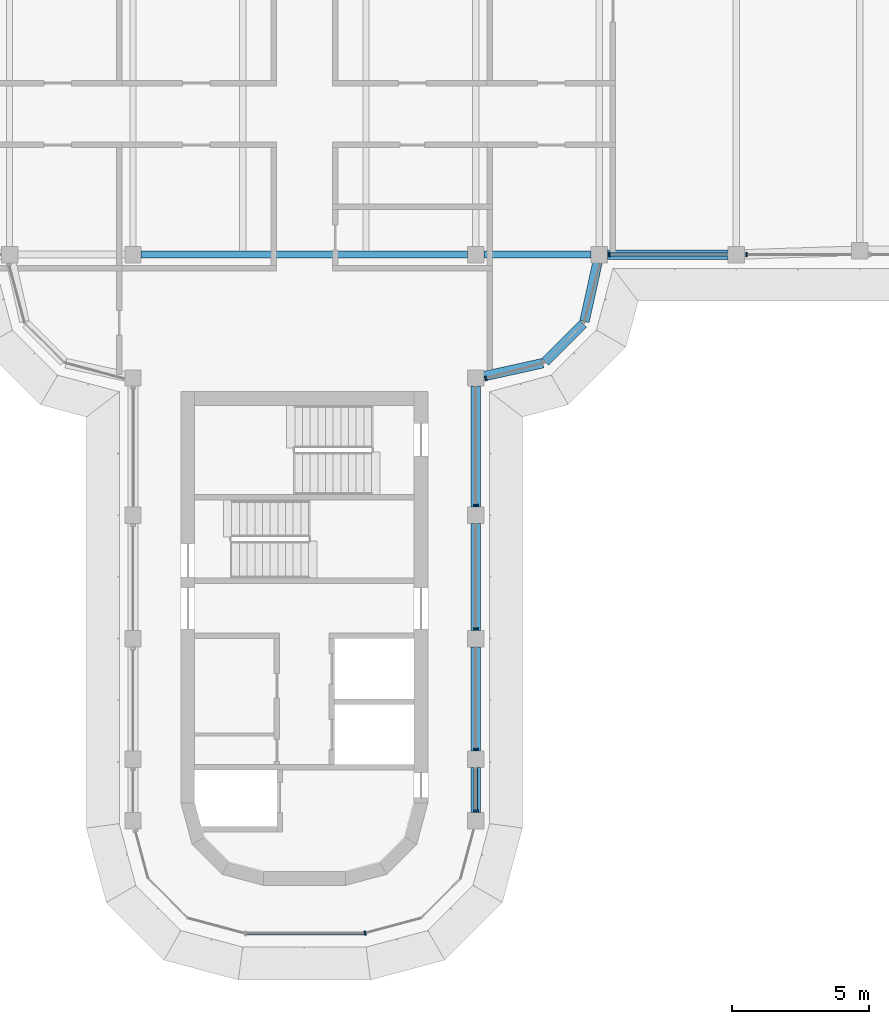
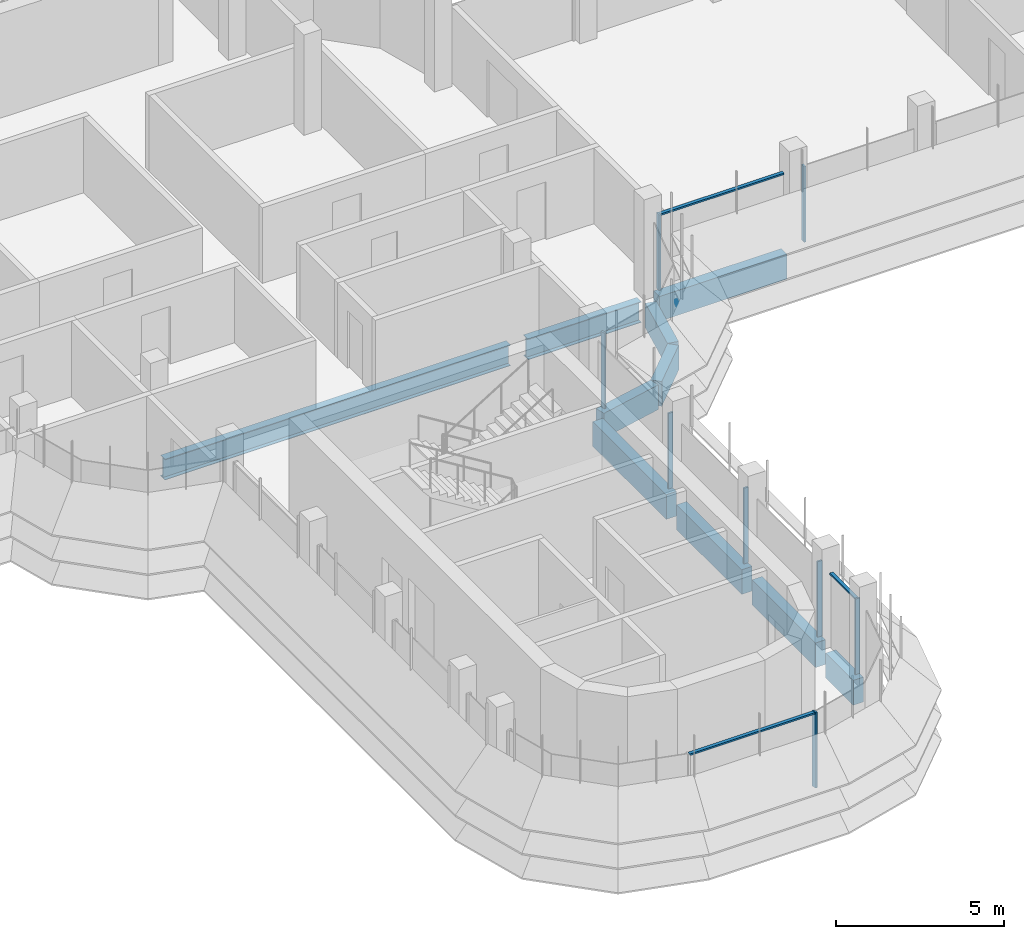
# One storey, part 4 of 19: 11 members, 10 beams, 5 elements without a shape of their own.
"""IFC4 building model written with IfcOpenShell, lengths in metres."""

from ifc_helpers import new_model, si_unit, direction, frame, origin, origin_2d, place, context, subcontext, project, spatial, polyline, rectangle, i_section, outline, extrude, source, transform, mapped, material, material_profile, profile_set, type_object, element, aggregate, save


model = new_model("IFC4")

# Units and contexts
model_context = context("Model", 3, precision=1e-05, world=origin(), true_north=direction((0.0, 1.0)))
body_context = subcontext(model_context, "Body", "Model", "MODEL_VIEW")
ifc_project = project(units=[si_unit("LENGTHUNIT", "METRE"), si_unit("AREAUNIT", "SQUARE_METRE"), si_unit("VOLUMEUNIT", "CUBIC_METRE"), si_unit("PLANEANGLEUNIT", "RADIAN"), si_unit("MASSUNIT", "GRAM", prefix="KILO")], contexts=[model_context])

# Site, building, storey
site_placement = place(None, origin())
site = spatial("IfcSite", under=ifc_project, at=site_placement, CompositionType="ELEMENT")
building_placement = place(site_placement, origin())
building = spatial("IfcBuilding", under=site, at=building_placement, Name="Zarbagh Exchange Tower", CompositionType="ELEMENT")
storey_placement = place(building_placement, frame((0.0, 0.0, 280.199951171875)))
storey = spatial("IfcBuildingStorey", under=building, at=storey_placement, Name="L69", CompositionType="ELEMENT", Elevation=280.199951171875)

# Beams
ifc_material_1 = material(Name="Steel ASTM A992 Gr 50", Category="steel")
ifc_material_profile_1 = material_profile(ifc_material_1, i_section(OverallWidth=0.2666015625, OverallDepth=0.7568359375, WebThickness=0.013916015625, FlangeThickness=0.019287109375, at=origin_2d()), Name="W30X108")
ifc_profile_set_1 = profile_set([ifc_material_profile_1], Name="Steel ASTM A992 Gr 50")
beam_type_1 = type_object("IfcBeamType", Name="Floor girder W30X108", PredefinedType="BEAM", material=ifc_profile_set_1)
beam_1_placement = place(storey_placement, frame((-5.949951171875, -6.25, -0.5283203125), z_axis=(1.0, 0.0, 0.0), x_axis=(0.0, 1.0, 0.0)))
element("IfcBeam", 1, at=beam_1_placement, inside=storey, type_object=beam_type_1, Name="Steel girder", PredefinedType="BEAM", context=body_context, shape_type="SweptSolid", body=[
    extrude(i_section(OverallWidth=0.2666015625, OverallDepth=0.7568359375, WebThickness=0.013916015625, FlangeThickness=0.019287109375, at=origin_2d()), origin(), (0.0, 0.0, 1.0), 11.89990234375),
])
beam_2_placement = place(storey_placement, frame((6.550048828125, -6.25, -0.5283203125), z_axis=(1.0, 0.0, 0.0), x_axis=(0.0, 1.0, 0.0)))
element("IfcBeam", 2, at=beam_2_placement, inside=storey, type_object=beam_type_1, Name="Steel girder", PredefinedType="BEAM", context=body_context, shape_type="SweptSolid", body=[
    extrude(i_section(OverallWidth=0.2666015625, OverallDepth=0.7568359375, WebThickness=0.013916015625, FlangeThickness=0.019287109375, at=origin_2d()), origin(), (0.0, 0.0, 1.0), 3.89990234375),
])
ifc_material_2 = material(Name="Concrete C40/50", Category="concrete")
ifc_material_profile_2 = material_profile(ifc_material_2, rectangle(XDim=0.35009765625, YDim=0.89990234375, at=origin_2d()), Name="RC spandrel beam 350 x 900 C40/50")
ifc_profile_set_2 = profile_set([ifc_material_profile_2], Name="Concrete C40/50")
beam_type_2 = type_object("IfcBeamType", Name="RC spandrel beam 350 x 900 C40/50", PredefinedType="SPANDREL", material=ifc_profile_set_2)
beam_3_placement = place(storey_placement, frame((15.449951171875, -6.25, -0.599853515625), z_axis=(-1.0, 0.0, 0.0), x_axis=(0.0, -1.0, 0.0)))
element("IfcBeam", 3, at=beam_3_placement, inside=storey, type_object=beam_type_2, Name="RC spandrel beam", PredefinedType="SPANDREL", context=body_context, shape_type="SweptSolid", body=[
    extrude(rectangle(XDim=0.35009765625, YDim=0.89990234375, at=origin_2d()), origin(), (0.0, 0.0, 1.0), 4.39990234375),
])
beam_4_placement = place(storey_placement, frame((10.685302734375, -6.54296875, -0.599853515625), z_axis=(-0.216025770228, -0.976387662047, 0.0), x_axis=(0.976387662047, -0.216025770228, 0.0)))
element("IfcBeam", 4, at=beam_4_placement, inside=storey, type_object=beam_type_2, Name="RC spandrel beam", PredefinedType="SPANDREL", context=body_context, shape_type="SweptSolid", body=[
    extrude(rectangle(XDim=0.35009765625, YDim=0.89990234375, at=origin_2d()), origin(), (0.0, 0.0, 1.0), 2.200439453125),
])
beam_5_placement = place(storey_placement, frame((10.16259765625, -8.77734375, -0.599853515625), z_axis=(-0.707106781187, -0.707106781187, 0.0), x_axis=(0.707106781187, -0.707106781187, 0.0)))
element("IfcBeam", 5, at=beam_5_placement, inside=storey, type_object=beam_type_2, Name="RC spandrel beam", PredefinedType="SPANDREL", context=body_context, shape_type="SweptSolid", body=[
    extrude(rectangle(XDim=0.35009765625, YDim=0.89990234375, at=origin_2d()), origin(), (0.0, 0.0, 1.0), 1.958984375),
])
beam_6_placement = place(storey_placement, frame((8.69140625, -10.2099609375, -0.599853515625), z_axis=(-0.976387662047, -0.216025770228, 0.0), x_axis=(0.216025770228, -0.976387662047, 0.0)))
element("IfcBeam", 6, at=beam_6_placement, inside=storey, type_object=beam_type_2, Name="RC spandrel beam", PredefinedType="SPANDREL", context=body_context, shape_type="SweptSolid", body=[
    extrude(rectangle(XDim=0.35009765625, YDim=0.89990234375, at=origin_2d()), origin(), (0.0, 0.0, 1.0), 2.200439453125),
])
beam_7_placement = place(storey_placement, frame((6.25, -11.050048828125, -0.599853515625), z_axis=(0.0, -1.0, 0.0), x_axis=(1.0, 0.0, 0.0)))
element("IfcBeam", 7, at=beam_7_placement, inside=storey, type_object=beam_type_2, Name="RC spandrel beam", PredefinedType="SPANDREL", context=body_context, shape_type="SweptSolid", body=[
    extrude(rectangle(XDim=0.35009765625, YDim=0.89990234375, at=origin_2d()), origin(), (0.0, 0.0, 1.0), 4.39990234375),
])
beam_8_placement = place(storey_placement, frame((6.25, -16.050048828125, -0.599853515625), z_axis=(0.0, -1.0, 0.0), x_axis=(1.0, 0.0, 0.0)))
element("IfcBeam", 8, at=beam_8_placement, inside=storey, type_object=beam_type_2, Name="RC spandrel beam", PredefinedType="SPANDREL", context=body_context, shape_type="SweptSolid", body=[
    extrude(rectangle(XDim=0.35009765625, YDim=0.89990234375, at=origin_2d()), origin(), (0.0, 0.0, 1.0), 3.89990234375),
])
beam_9_placement = place(storey_placement, frame((6.25, -20.550048828125, -0.599853515625), z_axis=(0.0, -1.0, 0.0), x_axis=(1.0, 0.0, 0.0)))
element("IfcBeam", 9, at=beam_9_placement, inside=storey, type_object=beam_type_2, Name="RC spandrel beam", PredefinedType="SPANDREL", context=body_context, shape_type="SweptSolid", body=[
    extrude(rectangle(XDim=0.35009765625, YDim=0.89990234375, at=origin_2d()), origin(), (0.0, 0.0, 1.0), 3.800048828125),
])
beam_10_placement = place(storey_placement, frame((6.25, -24.949951171875, -0.599853515625), z_axis=(0.0, -1.0, 0.0), x_axis=(1.0, 0.0, 0.0)))
element("IfcBeam", 10, at=beam_10_placement, inside=storey, type_object=beam_type_2, Name="RC spandrel beam", PredefinedType="SPANDREL", context=body_context, shape_type="SweptSolid", body=[
    extrude(rectangle(XDim=0.35009765625, YDim=0.89990234375, at=origin_2d()), origin(), (0.0, 0.0, 1.0), 1.650146484375),
])

# Curtain wall, member
ifc_material_3 = material(Name="Anodised aluminium frame and glazing", Category="aluminium")
curtain_wall_type = type_object("IfcCurtainWallType", Name="CWB Ribbon glazing, upper zones", PredefinedType="NOTDEFINED", material=ifc_material_3)
curtain_wall_1_placement = place(storey_placement, origin())
curtain_wall_1 = element("IfcCurtainWall", 11, at=curtain_wall_1_placement, inside=storey, type_object=curtain_wall_type, Name="CWB49 curtain wall", PredefinedType="NOTDEFINED")
ifc_material_4 = material(Name="Anodised aluminium frame", Category="aluminium")
member_type_1 = type_object("IfcMemberType", Name="MUB Mullion, anodised aluminium frame", PredefinedType="MULLION", material=ifc_material_4)
shared_shape_1 = source(origin(), body_context, "Body", "SweptSolid", [
    extrude(outline(polyline([(0.0, -0.080078125), (0.06005859375, -0.080078125), (0.06005859375, 0.080078125), (0.0, 0.080078125), (0.0, -0.080078125)])), origin(), (0.0, 0.0, 1.0), 2.75),
])
placement = place(storey_placement, origin())
member_1 = element("IfcMember", 12, at=placement, type_object=member_type_1, Name="CWB49 mullion 1.1", PredefinedType="MULLION", context=body_context, shape_type="MappedRepresentation", body=[
    mapped(shared_shape_1, transform((2.18408203125, -31.0, 0.0), x_axis=(0.965924289636, 0.258824779902, 0.0), y_axis=(-0.258824779902, 0.965924289636, 0.0), z_axis=(0.0, 0.0, 1.0))),
])
aggregate(curtain_wall_1, [member_1])

# Curtain wall, members
curtain_wall_2_placement = place(storey_placement, origin())
curtain_wall_2 = element("IfcCurtainWall", 13, at=curtain_wall_2_placement, inside=storey, type_object=curtain_wall_type, Name="CWB52 curtain wall", PredefinedType="NOTDEFINED")
member_2 = element("IfcMember", 14, at=placement, type_object=member_type_1, Name="CWB52 mullion 1.1", PredefinedType="MULLION", context=body_context, shape_type="MappedRepresentation", body=[
    mapped(shared_shape_1, transform((6.25, -26.56005859375, 0.0), x_axis=(0.0, 1.0, 0.0), y_axis=(-1.0, 0.0, 0.0), z_axis=(0.0, 0.0, 1.0))),
])
member_3 = element("IfcMember", 15, at=placement, type_object=member_type_1, Name="CWB52 mullion 2.1", PredefinedType="MULLION", context=body_context, shape_type="MappedRepresentation", body=[
    mapped(shared_shape_1, transform((6.25, -24.31005859375, 0.0), x_axis=(0.0, 1.0, 0.0), y_axis=(-1.0, 0.0, 0.0), z_axis=(0.0, 0.0, 1.0))),
])
member_4 = element("IfcMember", 16, at=placement, type_object=member_type_1, Name="CWB52 mullion 3.1", PredefinedType="MULLION", context=body_context, shape_type="MappedRepresentation", body=[
    mapped(shared_shape_1, transform((6.25, -19.909912109375, 0.0), x_axis=(0.0, 1.0, 0.0), y_axis=(-1.0, 0.0, 0.0), z_axis=(0.0, 0.0, 1.0))),
])
member_5 = element("IfcMember", 17, at=placement, type_object=member_type_1, Name="CWB52 mullion 4.1", PredefinedType="MULLION", context=body_context, shape_type="MappedRepresentation", body=[
    mapped(shared_shape_1, transform((6.25, -15.409912109375, 0.0), x_axis=(0.0, 1.0, 0.0), y_axis=(-1.0, 0.0, 0.0), z_axis=(0.0, 0.0, 1.0))),
])

# Curtain wall, member
curtain_wall_3_placement = place(storey_placement, origin())
curtain_wall_3 = element("IfcCurtainWall", 18, at=curtain_wall_3_placement, inside=storey, type_object=curtain_wall_type, Name="CWB05 curtain wall", PredefinedType="NOTDEFINED")
member_6 = element("IfcMember", 19, at=placement, type_object=member_type_1, Name="CWB05 mullion 1.1", PredefinedType="MULLION", context=body_context, shape_type="MappedRepresentation", body=[
    mapped(shared_shape_1, transform((6.590087890625, -10.775146484375, 0.0), x_axis=(0.965924289636, 0.258824779902, 0.0), y_axis=(-0.258824779902, 0.965924289636, 0.0), z_axis=(0.0, 0.0, 1.0))),
])
aggregate(curtain_wall_3, [member_6])

# Curtain wall, members
curtain_wall_4_placement = place(storey_placement, origin())
curtain_wall_4 = element("IfcCurtainWall", 20, at=curtain_wall_4_placement, inside=storey, type_object=curtain_wall_type, Name="CWB75 curtain wall", PredefinedType="NOTDEFINED")
member_7 = element("IfcMember", 21, at=placement, type_object=member_type_1, Name="CWB75 mullion 1.1", PredefinedType="MULLION", context=body_context, shape_type="MappedRepresentation", body=[
    mapped(shared_shape_1, transform((11.090087890625, -6.25, 0.0), x_axis=(1.0, 0.0, 0.0), y_axis=(0.0, 1.0, 0.0), z_axis=(0.0, 0.0, 1.0))),
])
member_8 = element("IfcMember", 22, at=placement, type_object=member_type_1, Name="CWB75 mullion 2.1", PredefinedType="MULLION", context=body_context, shape_type="MappedRepresentation", body=[
    mapped(shared_shape_1, transform((16.090087890625, -6.25, 0.0), x_axis=(1.0, 0.0, 0.0), y_axis=(0.0, 1.0, 0.0), z_axis=(0.0, 0.0, 1.0))),
])

# Curtain wall, member
curtain_wall_5_placement = place(storey_placement, origin())
curtain_wall_5 = element("IfcCurtainWall", 23, at=curtain_wall_5_placement, inside=storey, type_object=curtain_wall_type, Name="CWB57 curtain wall", PredefinedType="NOTDEFINED")
member_type_2 = type_object("IfcMemberType", Name="TRB Transom, anodised aluminium frame", PredefinedType="USERDEFINED", material=ifc_material_4)
shared_shape_2 = source(origin(), body_context, "Body", "SweptSolid", [
    extrude(outline(polyline([(-0.06005859375, -0.06005859375), (0.0, -0.06005859375), (0.0, 0.06005859375), (-0.06005859375, 0.06005859375), (-0.06005859375, -0.06005859375)])), origin(), (0.0, 0.0, 1.0), 4.308349609375),
])
member_9 = element("IfcMember", 24, at=placement, type_object=member_type_2, Name="CWB57 transom 1.1", ObjectType="TRANSOM", PredefinedType="USERDEFINED", context=body_context, shape_type="MappedRepresentation", body=[
    mapped(shared_shape_2, transform((-2.124267578125, -31.0, 2.75), x_axis=(0.0, 0.0, 1.0), y_axis=(0.0, -1.0, 0.0), z_axis=(1.0, 0.0, 0.0))),
])
aggregate(curtain_wall_5, [member_9])

# Member
shared_shape_3 = source(origin(), body_context, "Body", "SweptSolid", [
    extrude(outline(polyline([(-0.06005859375, -0.06005859375), (0.0, -0.06005859375), (0.0, 0.06005859375), (-0.06005859375, 0.06005859375), (-0.06005859375, -0.06005859375)])), origin(), (0.0, 0.0, 1.0), 1.510009765625),
])
member_10 = element("IfcMember", 25, at=placement, type_object=member_type_2, Name="CWB52 transom 1.1", ObjectType="TRANSOM", PredefinedType="USERDEFINED", context=body_context, shape_type="MappedRepresentation", body=[
    mapped(shared_shape_3, transform((6.25, -26.5, 2.75), x_axis=(0.0, 0.0, 1.0), y_axis=(1.0, 0.0, 0.0), z_axis=(0.0, 1.0, 0.0))),
])

aggregate(curtain_wall_2, [member_2, member_10, member_3, member_4, member_5])

shared_shape_4 = source(origin(), body_context, "Body", "SweptSolid", [
    extrude(outline(polyline([(-0.06005859375, -0.06005859375), (0.0, -0.06005859375), (0.0, 0.06005859375), (-0.06005859375, 0.06005859375), (-0.06005859375, -0.06005859375)])), origin(), (0.0, 0.0, 1.0), 4.260009765625),
])
member_11 = element("IfcMember", 26, at=placement, type_object=member_type_2, Name="CWB75 transom 1.1", ObjectType="TRANSOM", PredefinedType="USERDEFINED", context=body_context, shape_type="MappedRepresentation", body=[
    mapped(shared_shape_4, transform((11.150146484375, -6.25, 2.75), x_axis=(0.0, 0.0, 1.0), y_axis=(0.0, -1.0, 0.0), z_axis=(1.0, 0.0, 0.0))),
])

aggregate(curtain_wall_4, [member_7, member_11, member_8])

save(model, "model.ifc")
